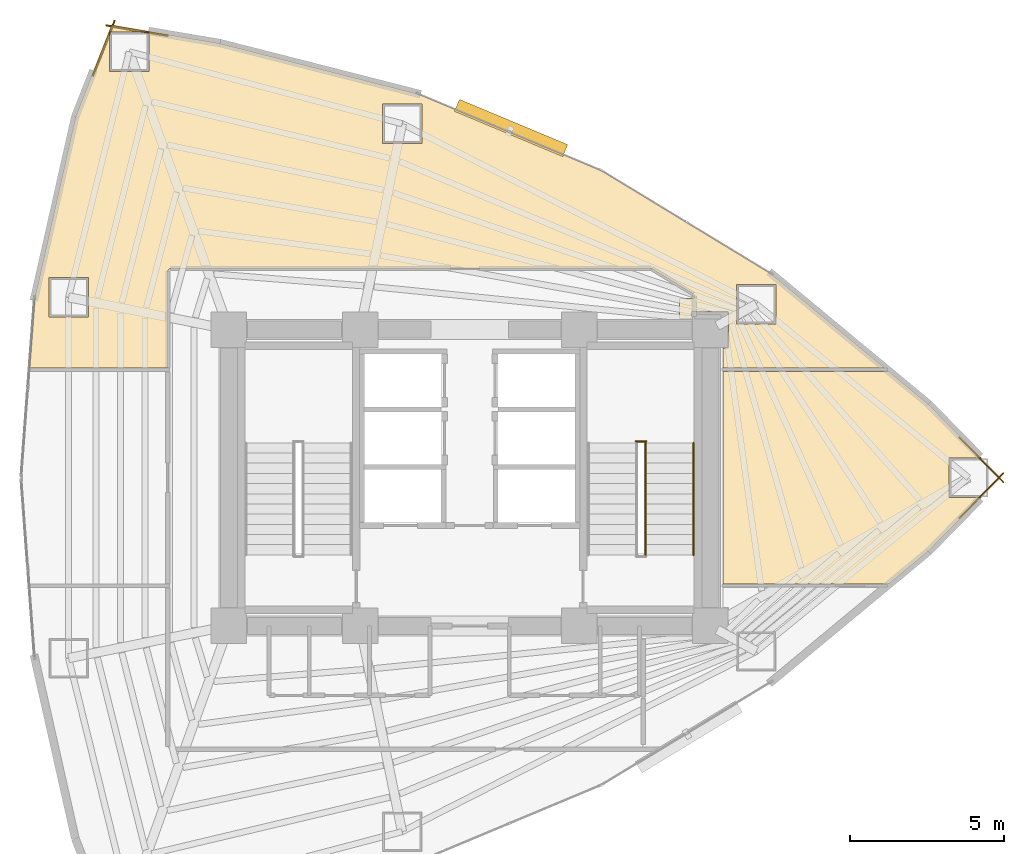
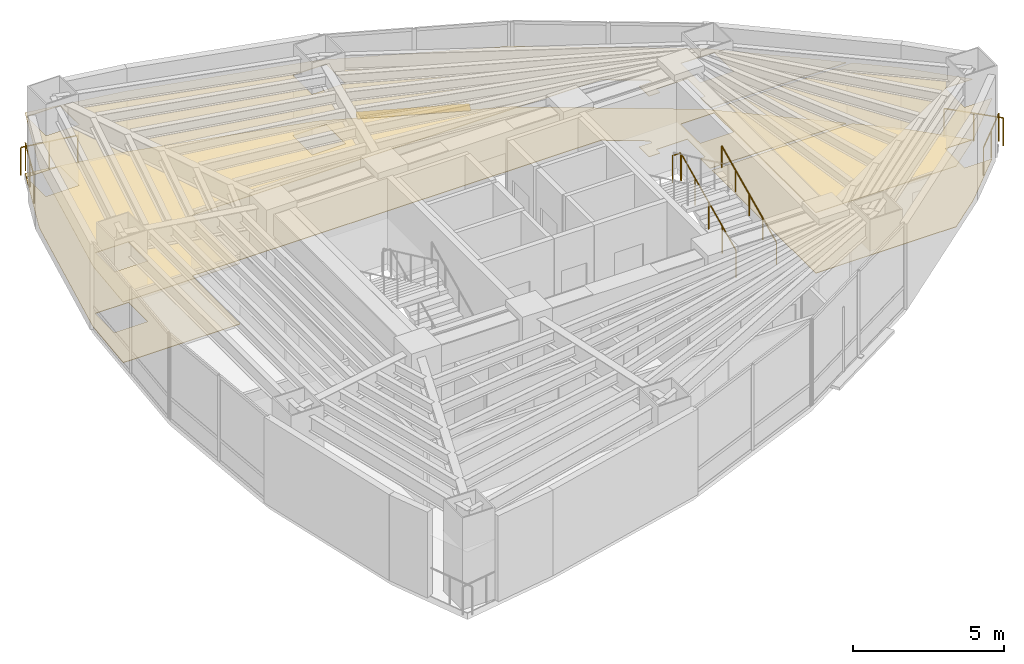
# One storey, part 18 of 18: 7 railings, 4 coverings, 1 shading device.
"""IFC4 building model written with IfcOpenShell, lengths in metres."""

from ifc_helpers import new_model, si_unit, direction, frame, origin, origin_2d, place, context, subcontext, project, spatial, polyline, rectangle, circle, outline, extrude, material, layer, layer_set, type_object, element, save


model = new_model("IFC4")

# Units and contexts
model_context = context("Model", 3, precision=1e-05, world=origin(), true_north=direction((0.0, 1.0)))
body_context = subcontext(model_context, "Body", "Model", "MODEL_VIEW")
ifc_project = project(units=[si_unit("LENGTHUNIT", "METRE"), si_unit("AREAUNIT", "SQUARE_METRE"), si_unit("VOLUMEUNIT", "CUBIC_METRE"), si_unit("PLANEANGLEUNIT", "RADIAN"), si_unit("MASSUNIT", "GRAM", prefix="KILO")], contexts=[model_context])

# Site, building, storey
site_placement = place(None, origin())
site = spatial("IfcSite", under=ifc_project, at=site_placement, CompositionType="ELEMENT")
building_placement = place(site_placement, origin())
building = spatial("IfcBuilding", under=site, at=building_placement, Name="Menara Vayukalpa", CompositionType="ELEMENT")
storey_placement = place(building_placement, frame((0.0, 0.0, 92.820068359375)))
storey = spatial("IfcBuildingStorey", under=building, at=storey_placement, Name="L22", CompositionType="ELEMENT", Elevation=92.820068359375)

# Coverings
ifc_material_1 = material(Name="Mineral Fibre Acoustic Ceiling Tile", Category="masonry")
ifc_layer_1 = layer(ifc_material_1, 0.02490234375)
ifc_layer_set_1 = layer_set([ifc_layer_1], Name="Mineral Fibre Acoustic Ceiling Tile")
covering_type_1 = type_object("IfcCoveringType", Name="COV-CLG1", PredefinedType="CEILING", material=ifc_layer_set_1)
covering_1_placement = place(storey_placement, frame((0.0, 0.0, 2.449951171875)))
element("IfcCovering", 1, at=covering_1_placement, inside=storey, type_object=covering_type_1, Name="L22 Technical Reference Library Acoustic Ceiling", PredefinedType="CEILING", context=body_context, shape_type="SweptSolid", body=[
    extrude(outline(polyline([(42.169677734375, 22.639892578125), (41.121826171875, 22.639892578125), (41.121826171875, 21.360107421875), (42.169677734375, 21.360107421875), (40.461181640625, 19.6201171875), (40.46044921875, 19.619384765625), (39.177978515625, 18.5556640625), (39.17724609375, 18.55517578125), (39.176513671875, 18.5546875), (39.175537109375, 18.55419921875), (39.1748046875, 18.553955078125), (39.173828125, 18.5537109375), (39.1728515625, 18.553466796875), (39.171875, 18.553466796875), (39.1708984375, 18.553466796875), (39.169921875, 18.553466796875), (39.1689453125, 18.5537109375), (39.168212890625, 18.553955078125), (39.167236328125, 18.554443359375), (39.1650390625, 18.555419921875), (39.159423828125, 18.557373046875), (39.15380859375, 18.558837890625), (39.148193359375, 18.559814453125), (39.141845703125, 18.56005859375), (33.820068359375, 18.56005859375), (33.819091796875, 18.56005859375), (33.818115234375, 18.560302734375), (33.817138671875, 18.560302734375), (33.816162109375, 18.560791015625), (33.815185546875, 18.561279296875), (33.814453125, 18.561767578125), (33.813720703125, 18.562255859375), (33.81298828125, 18.56298828125), (33.812255859375, 18.563720703125), (33.811767578125, 18.564453125), (33.811279296875, 18.565185546875), (33.810791015625, 18.566162109375), (33.810302734375, 18.567138671875), (33.810302734375, 18.568115234375), (33.81005859375, 18.569091796875), (33.81005859375, 18.570068359375), (33.81005859375, 25.429931640625), (33.81005859375, 25.430908203125), (33.810302734375, 25.431884765625), (33.810302734375, 25.432861328125), (33.810791015625, 25.433837890625), (33.811279296875, 25.434814453125), (33.811767578125, 25.435546875), (33.812255859375, 25.436279296875), (33.81298828125, 25.43701171875), (33.813720703125, 25.437744140625), (33.814453125, 25.438232421875), (33.815185546875, 25.438720703125), (33.816162109375, 25.439208984375), (33.817138671875, 25.439697265625), (33.818115234375, 25.439697265625), (33.819091796875, 25.43994140625), (33.820068359375, 25.43994140625), (39.141845703125, 25.43994140625), (39.148193359375, 25.440185546875), (39.15380859375, 25.441162109375), (39.159423828125, 25.442626953125), (39.1650390625, 25.444580078125), (39.167236328125, 25.445556640625), (39.168212890625, 25.446044921875), (39.1689453125, 25.4462890625), (39.169921875, 25.446533203125), (39.1708984375, 25.446533203125), (39.171875, 25.446533203125), (39.1728515625, 25.446533203125), (39.173828125, 25.4462890625), (39.1748046875, 25.446044921875), (39.175537109375, 25.44580078125), (39.176513671875, 25.4453125), (39.17724609375, 25.44482421875), (39.177978515625, 25.4443359375), (40.46044921875, 24.380615234375), (40.461181640625, 24.3798828125), (42.169677734375, 22.639892578125)])), origin(), (0.0, 0.0, 1.0), 0.02490234375),
])
covering_2_placement = place(storey_placement, frame((0.0, 0.0, 2.449951171875)))
element("IfcCovering", 2, at=covering_2_placement, inside=storey, type_object=covering_type_1, Name="L22 Staff Dining and Pantry Acoustic Ceiling", PredefinedType="CEILING", context=body_context, shape_type="SweptSolid", body=[
    extrude(outline(polyline([(32.389892578125, 27.81005859375), (32.8701171875, 27.81005859375), (32.8701171875, 27.89111328125), (32.86962890625, 27.8984375), (32.868408203125, 27.905517578125), (32.86669921875, 27.912353515625), (32.8642578125, 27.919189453125), (32.861083984375, 27.925537109375), (32.857177734375, 27.931640625), (32.852783203125, 27.937255859375), (32.847900390625, 27.9423828125), (32.84228515625, 27.947021484375), (32.836181640625, 27.951171875), (31.505126953125, 28.759765625), (31.49951171875, 28.762939453125), (31.49365234375, 28.765380859375), (31.487548828125, 28.767333984375), (31.481201171875, 28.768798828125), (31.47509765625, 28.769775390625), (31.468505859375, 28.77001953125), (15.900390625, 28.77001953125), (15.893310546875, 28.76953125), (15.88623046875, 28.768798828125), (15.879638671875, 28.76708984375), (15.873291015625, 28.7646484375), (15.866943359375, 28.76171875), (15.861083984375, 28.75830078125), (15.85546875, 28.75390625), (15.8505859375, 28.74951171875), (15.845947265625, 28.744384765625), (15.841796875, 28.73876953125), (15.838134765625, 28.73291015625), (15.835205078125, 28.726806640625), (15.8330078125, 28.72021484375), (15.831298828125, 28.713623046875), (15.830322265625, 28.706787109375), (15.830078125, 28.69970703125), (15.830078125, 25.570068359375), (15.830078125, 25.569091796875), (15.829833984375, 25.568115234375), (15.82958984375, 25.567138671875), (15.8291015625, 25.566162109375), (15.828857421875, 25.565185546875), (15.828369140625, 25.564453125), (15.82763671875, 25.563720703125), (15.8271484375, 25.56298828125), (15.826416015625, 25.562255859375), (15.82568359375, 25.561767578125), (15.82470703125, 25.561279296875), (15.82373046875, 25.560791015625), (15.822998046875, 25.560302734375), (15.822021484375, 25.560302734375), (15.821044921875, 25.56005859375), (15.820068359375, 25.56005859375), (11.35595703125, 25.56005859375), (11.35498046875, 25.56005859375), (11.35400390625, 25.560302734375), (11.35302734375, 25.560302734375), (11.352294921875, 25.560791015625), (11.351318359375, 25.56103515625), (11.3505859375, 25.5615234375), (11.349609375, 25.562255859375), (11.34912109375, 25.56298828125), (11.348388671875, 25.563720703125), (11.347900390625, 25.564208984375), (11.347412109375, 25.565185546875), (11.3466796875, 25.56591796875), (11.346435546875, 25.56689453125), (11.34619140625, 25.56787109375), (11.34619140625, 25.56884765625), (11.345947265625, 25.56982421875), (11.345947265625, 25.57080078125), (11.516357421875, 27.843505859375), (11.5166015625, 27.844970703125), (12.831298828125, 33.687744140625), (12.83154296875, 33.6884765625), (12.831787109375, 33.689208984375), (13.997314453125, 36.6572265625), (13.997802734375, 36.658203125), (13.998291015625, 36.658935546875), (13.998779296875, 36.659912109375), (13.99951171875, 36.660400390625), (14.000244140625, 36.6611328125), (14.0009765625, 36.661865234375), (14.001708984375, 36.662353515625), (14.002685546875, 36.66259765625), (14.003662109375, 36.6630859375), (14.00439453125, 36.663330078125), (14.005615234375, 36.66357421875), (14.00634765625, 36.66357421875), (14.00732421875, 36.66357421875), (14.00830078125, 36.66357421875), (17.5078125, 36.0693359375), (17.5087890625, 36.069091796875), (23.903564453125, 34.438232421875), (23.90478515625, 34.437744140625), (29.860595703125, 31.946533203125), (29.861328125, 31.9462890625), (29.862060546875, 31.94580078125), (35.379638671875, 28.593994140625), (35.380859375, 28.59326171875), (39.01708984375, 25.57763671875), (39.017822265625, 25.576904296875), (39.0185546875, 25.576416015625), (39.01904296875, 25.575439453125), (39.01953125, 25.57470703125), (39.02001953125, 25.57373046875), (39.020263671875, 25.572998046875), (39.0205078125, 25.572021484375), (39.020751953125, 25.57080078125), (39.020751953125, 25.570068359375), (39.0205078125, 25.569091796875), (39.0205078125, 25.568115234375), (39.020263671875, 25.567138671875), (39.02001953125, 25.566162109375), (39.01953125, 25.565185546875), (39.01904296875, 25.564453125), (39.018310546875, 25.563720703125), (39.017822265625, 25.56298828125), (39.01708984375, 25.562255859375), (39.01611328125, 25.561767578125), (39.015380859375, 25.561279296875), (39.014404296875, 25.560791015625), (39.013671875, 25.560302734375), (39.0126953125, 25.560302734375), (39.01171875, 25.56005859375), (39.0107421875, 25.56005859375), (33.820068359375, 25.56005859375), (33.819091796875, 25.56005859375), (33.818115234375, 25.560302734375), (33.817138671875, 25.560302734375), (33.816162109375, 25.560791015625), (33.815185546875, 25.561279296875), (33.814453125, 25.561767578125), (33.813720703125, 25.562255859375), (33.81298828125, 25.56298828125), (33.812255859375, 25.563720703125), (33.811767578125, 25.564453125), (33.811279296875, 25.565185546875), (33.810791015625, 25.566162109375), (33.810302734375, 25.567138671875), (33.810302734375, 25.568115234375), (33.81005859375, 25.569091796875), (33.81005859375, 25.570068359375), (33.81005859375, 26.2099609375), (33.989990234375, 26.2099609375), (33.989990234375, 27.389892578125), (32.81005859375, 27.389892578125), (32.81005859375, 27.14990234375), (32.389892578125, 27.14990234375), (32.389892578125, 27.81005859375)]), holes=[polyline([(13.24658203125, 28.485595703125), (11.966552734375, 28.485595703125), (11.966552734375, 27.205810546875), (13.24658203125, 27.205810546875), (13.24658203125, 28.485595703125)]), polyline([(15.208984375, 36.4375), (13.92919921875, 36.4375), (13.92919921875, 35.157470703125), (15.208984375, 35.157470703125), (15.208984375, 36.4375)]), polyline([(35.52685546875, 26.981689453125), (35.52685546875, 28.26171875), (34.246826171875, 28.26171875), (34.246826171875, 26.981689453125), (35.52685546875, 26.981689453125)]), polyline([(24.048095703125, 32.827392578125), (24.048095703125, 34.107421875), (22.768310546875, 34.107421875), (22.768310546875, 32.827392578125), (24.048095703125, 32.827392578125)])]), origin(), (0.0, 0.0, 1.0), 0.02490234375),
])
ifc_material_2 = material(Name="Porcelain Stoneware Floor Tile", Category="masonry")
ifc_layer_2 = layer(ifc_material_2, 0.02001953125)
ifc_layer_set_2 = layer_set([ifc_layer_2], Name="Porcelain Stoneware Floor Tile")
covering_type_2 = type_object("IfcCoveringType", Name="COV-FLR1", PredefinedType="FLOORING", material=ifc_layer_set_2)
covering_3_placement = place(storey_placement, origin())
element("IfcCovering", 3, at=covering_3_placement, inside=storey, type_object=covering_type_2, Name="L22 Technical Reference Library Porcelain Flooring", PredefinedType="FLOORING", context=body_context, shape_type="SweptSolid", body=[
    extrude(outline(polyline([(42.169677734375, 22.639892578125), (41.121826171875, 22.639892578125), (41.121826171875, 21.360107421875), (42.169677734375, 21.360107421875), (40.461181640625, 19.6201171875), (40.46044921875, 19.619384765625), (39.177978515625, 18.5556640625), (39.17724609375, 18.55517578125), (39.176513671875, 18.5546875), (39.175537109375, 18.55419921875), (39.1748046875, 18.553955078125), (39.173828125, 18.5537109375), (39.1728515625, 18.553466796875), (39.171875, 18.553466796875), (39.1708984375, 18.553466796875), (39.169921875, 18.553466796875), (39.1689453125, 18.5537109375), (39.168212890625, 18.553955078125), (39.167236328125, 18.554443359375), (39.1650390625, 18.555419921875), (39.159423828125, 18.557373046875), (39.15380859375, 18.558837890625), (39.148193359375, 18.559814453125), (39.141845703125, 18.56005859375), (33.820068359375, 18.56005859375), (33.819091796875, 18.56005859375), (33.818115234375, 18.560302734375), (33.817138671875, 18.560302734375), (33.816162109375, 18.560791015625), (33.815185546875, 18.561279296875), (33.814453125, 18.561767578125), (33.813720703125, 18.562255859375), (33.81298828125, 18.56298828125), (33.812255859375, 18.563720703125), (33.811767578125, 18.564453125), (33.811279296875, 18.565185546875), (33.810791015625, 18.566162109375), (33.810302734375, 18.567138671875), (33.810302734375, 18.568115234375), (33.81005859375, 18.569091796875), (33.81005859375, 18.570068359375), (33.81005859375, 25.429931640625), (33.81005859375, 25.430908203125), (33.810302734375, 25.431884765625), (33.810302734375, 25.432861328125), (33.810791015625, 25.433837890625), (33.811279296875, 25.434814453125), (33.811767578125, 25.435546875), (33.812255859375, 25.436279296875), (33.81298828125, 25.43701171875), (33.813720703125, 25.437744140625), (33.814453125, 25.438232421875), (33.815185546875, 25.438720703125), (33.816162109375, 25.439208984375), (33.817138671875, 25.439697265625), (33.818115234375, 25.439697265625), (33.819091796875, 25.43994140625), (33.820068359375, 25.43994140625), (39.141845703125, 25.43994140625), (39.148193359375, 25.440185546875), (39.15380859375, 25.441162109375), (39.159423828125, 25.442626953125), (39.1650390625, 25.444580078125), (39.167236328125, 25.445556640625), (39.168212890625, 25.446044921875), (39.1689453125, 25.4462890625), (39.169921875, 25.446533203125), (39.1708984375, 25.446533203125), (39.171875, 25.446533203125), (39.1728515625, 25.446533203125), (39.173828125, 25.4462890625), (39.1748046875, 25.446044921875), (39.175537109375, 25.44580078125), (39.176513671875, 25.4453125), (39.17724609375, 25.44482421875), (39.177978515625, 25.4443359375), (40.46044921875, 24.380615234375), (40.461181640625, 24.3798828125), (42.169677734375, 22.639892578125)])), origin(), (0.0, 0.0, 1.0), 0.02001953125),
])
covering_4_placement = place(storey_placement, origin())
element("IfcCovering", 4, at=covering_4_placement, inside=storey, type_object=covering_type_2, Name="L22 Staff Dining and Pantry Porcelain Flooring", PredefinedType="FLOORING", context=body_context, shape_type="SweptSolid", body=[
    extrude(outline(polyline([(32.389892578125, 27.81005859375), (32.8701171875, 27.81005859375), (32.8701171875, 27.89111328125), (32.86962890625, 27.8984375), (32.868408203125, 27.905517578125), (32.86669921875, 27.912353515625), (32.8642578125, 27.919189453125), (32.861083984375, 27.925537109375), (32.857177734375, 27.931640625), (32.852783203125, 27.937255859375), (32.847900390625, 27.9423828125), (32.84228515625, 27.947021484375), (32.836181640625, 27.951171875), (31.505126953125, 28.759765625), (31.49951171875, 28.762939453125), (31.49365234375, 28.765380859375), (31.487548828125, 28.767333984375), (31.481201171875, 28.768798828125), (31.47509765625, 28.769775390625), (31.468505859375, 28.77001953125), (15.900390625, 28.77001953125), (15.893310546875, 28.76953125), (15.88623046875, 28.768798828125), (15.879638671875, 28.76708984375), (15.873291015625, 28.7646484375), (15.866943359375, 28.76171875), (15.861083984375, 28.75830078125), (15.85546875, 28.75390625), (15.8505859375, 28.74951171875), (15.845947265625, 28.744384765625), (15.841796875, 28.73876953125), (15.838134765625, 28.73291015625), (15.835205078125, 28.726806640625), (15.8330078125, 28.72021484375), (15.831298828125, 28.713623046875), (15.830322265625, 28.706787109375), (15.830078125, 28.69970703125), (15.830078125, 25.570068359375), (15.830078125, 25.569091796875), (15.829833984375, 25.568115234375), (15.82958984375, 25.567138671875), (15.8291015625, 25.566162109375), (15.828857421875, 25.565185546875), (15.828369140625, 25.564453125), (15.82763671875, 25.563720703125), (15.8271484375, 25.56298828125), (15.826416015625, 25.562255859375), (15.82568359375, 25.561767578125), (15.82470703125, 25.561279296875), (15.82373046875, 25.560791015625), (15.822998046875, 25.560302734375), (15.822021484375, 25.560302734375), (15.821044921875, 25.56005859375), (15.820068359375, 25.56005859375), (11.35595703125, 25.56005859375), (11.35498046875, 25.56005859375), (11.35400390625, 25.560302734375), (11.35302734375, 25.560302734375), (11.352294921875, 25.560791015625), (11.351318359375, 25.56103515625), (11.3505859375, 25.5615234375), (11.349609375, 25.562255859375), (11.34912109375, 25.56298828125), (11.348388671875, 25.563720703125), (11.347900390625, 25.564208984375), (11.347412109375, 25.565185546875), (11.3466796875, 25.56591796875), (11.346435546875, 25.56689453125), (11.34619140625, 25.56787109375), (11.34619140625, 25.56884765625), (11.345947265625, 25.56982421875), (11.345947265625, 25.57080078125), (11.516357421875, 27.843505859375), (11.5166015625, 27.844970703125), (12.831298828125, 33.687744140625), (12.83154296875, 33.6884765625), (12.831787109375, 33.689208984375), (13.997314453125, 36.6572265625), (13.997802734375, 36.658203125), (13.998291015625, 36.658935546875), (13.998779296875, 36.659912109375), (13.99951171875, 36.660400390625), (14.000244140625, 36.6611328125), (14.0009765625, 36.661865234375), (14.001708984375, 36.662353515625), (14.002685546875, 36.66259765625), (14.003662109375, 36.6630859375), (14.00439453125, 36.663330078125), (14.005615234375, 36.66357421875), (14.00634765625, 36.66357421875), (14.00732421875, 36.66357421875), (14.00830078125, 36.66357421875), (17.5078125, 36.0693359375), (17.5087890625, 36.069091796875), (23.903564453125, 34.438232421875), (23.90478515625, 34.437744140625), (29.860595703125, 31.946533203125), (29.861328125, 31.9462890625), (29.862060546875, 31.94580078125), (35.379638671875, 28.593994140625), (35.380859375, 28.59326171875), (39.01708984375, 25.57763671875), (39.017822265625, 25.576904296875), (39.0185546875, 25.576416015625), (39.01904296875, 25.575439453125), (39.01953125, 25.57470703125), (39.02001953125, 25.57373046875), (39.020263671875, 25.572998046875), (39.0205078125, 25.572021484375), (39.020751953125, 25.57080078125), (39.020751953125, 25.570068359375), (39.0205078125, 25.569091796875), (39.0205078125, 25.568115234375), (39.020263671875, 25.567138671875), (39.02001953125, 25.566162109375), (39.01953125, 25.565185546875), (39.01904296875, 25.564453125), (39.018310546875, 25.563720703125), (39.017822265625, 25.56298828125), (39.01708984375, 25.562255859375), (39.01611328125, 25.561767578125), (39.015380859375, 25.561279296875), (39.014404296875, 25.560791015625), (39.013671875, 25.560302734375), (39.0126953125, 25.560302734375), (39.01171875, 25.56005859375), (39.0107421875, 25.56005859375), (33.820068359375, 25.56005859375), (33.819091796875, 25.56005859375), (33.818115234375, 25.560302734375), (33.817138671875, 25.560302734375), (33.816162109375, 25.560791015625), (33.815185546875, 25.561279296875), (33.814453125, 25.561767578125), (33.813720703125, 25.562255859375), (33.81298828125, 25.56298828125), (33.812255859375, 25.563720703125), (33.811767578125, 25.564453125), (33.811279296875, 25.565185546875), (33.810791015625, 25.566162109375), (33.810302734375, 25.567138671875), (33.810302734375, 25.568115234375), (33.81005859375, 25.569091796875), (33.81005859375, 25.570068359375), (33.81005859375, 26.2099609375), (33.989990234375, 26.2099609375), (33.989990234375, 27.389892578125), (32.81005859375, 27.389892578125), (32.81005859375, 27.14990234375), (32.389892578125, 27.14990234375), (32.389892578125, 27.81005859375)]), holes=[polyline([(13.24658203125, 28.485595703125), (11.966552734375, 28.485595703125), (11.966552734375, 27.205810546875), (13.24658203125, 27.205810546875), (13.24658203125, 28.485595703125)]), polyline([(15.208984375, 36.4375), (13.92919921875, 36.4375), (13.92919921875, 35.157470703125), (15.208984375, 35.157470703125), (15.208984375, 36.4375)]), polyline([(35.52685546875, 26.981689453125), (35.52685546875, 28.26171875), (34.246826171875, 28.26171875), (34.246826171875, 26.981689453125), (35.52685546875, 26.981689453125)]), polyline([(24.048095703125, 32.827392578125), (24.048095703125, 34.107421875), (22.768310546875, 34.107421875), (22.768310546875, 32.827392578125), (24.048095703125, 32.827392578125)])]), origin(), (0.0, 0.0, 1.0), 0.02001953125),
])

# Railings
ifc_material_3 = material(Name="Laminated Glass and Stainless Steel 316 Guardrail", Category="steel")
railing_type_1 = type_object("IfcRailingType", Name="RLG-EXT115", PredefinedType="GUARDRAIL", material=ifc_material_3)
railing_1_placement = place(storey_placement, frame((41.458740234375, 20.693115234375, 0.0)))
element("IfcRailing", 5, at=railing_1_placement, inside=storey, type_object=railing_type_1, Name="L22 Column Corner Spandrel Guardrail 01-1", PredefinedType="GUARDRAIL", context=body_context, shape_type="SweptSolid", body=[
    extrude(circle(Radius=0.02392578125, at=origin_2d()), frame((0.0, 0.0, 1.1259765625), z_axis=(0.700555740742, 0.713597683652, 0.0), x_axis=(-0.713597683652, 0.700555740742, 0.0)), (0.0, 0.0, 1.0), 2.04052734375),
    extrude(circle(Radius=0.02099609375, at=origin_2d()), origin(), (0.0, 0.0, 1.0), 1.101806640625),
    extrude(circle(Radius=0.02099609375, at=origin_2d()), frame((0.71484375, 0.72802734375, 0.0)), (0.0, 0.0, 1.0), 1.101806640625),
    extrude(circle(Radius=0.02099609375, at=origin_2d()), frame((1.429443359375, 1.4560546875, 0.0)), (0.0, 0.0, 1.0), 1.101806640625),
])
railing_2_placement = place(storey_placement, frame((42.88818359375, 21.850830078125, 0.0)))
element("IfcRailing", 6, at=railing_2_placement, inside=storey, type_object=railing_type_1, Name="L22 Column Corner Spandrel Guardrail 02-1", PredefinedType="GUARDRAIL", context=body_context, shape_type="SweptSolid", body=[
    extrude(circle(Radius=0.02392578125, at=origin_2d()), frame((0.0, 0.0, 1.1259765625), z_axis=(-0.700555740742, 0.713597683652, 0.0), x_axis=(-0.713597683652, -0.700555740742, 0.0)), (0.0, 0.0, 1.0), 2.04052734375),
    extrude(circle(Radius=0.02099609375, at=origin_2d()), origin(), (0.0, 0.0, 1.0), 1.101806640625),
    extrude(circle(Radius=0.02099609375, at=origin_2d()), frame((-0.71484375, 0.72802734375, 0.0)), (0.0, 0.0, 1.0), 1.101806640625),
    extrude(circle(Radius=0.02099609375, at=origin_2d()), frame((-1.429443359375, 1.4560546875, 0.0)), (0.0, 0.0, 1.0), 1.101806640625),
])
railing_3_placement = place(storey_placement, frame((15.818359375, 36.315673828125, 0.0)))
element("IfcRailing", 7, at=railing_3_placement, inside=storey, type_object=railing_type_1, Name="L22 Column Corner Spandrel Guardrail 07-1", PredefinedType="GUARDRAIL", context=body_context, shape_type="SweptSolid", body=[
    extrude(circle(Radius=0.02392578125, at=origin_2d()), frame((0.0, 0.0, 1.1259765625), z_axis=(-0.985895977605, 0.16735925831, 0.0), x_axis=(-0.16735925831, -0.985895977605, 0.0)), (0.0, 0.0, 1.0), 2.01904296875),
    extrude(circle(Radius=0.02099609375, at=origin_2d()), origin(), (0.0, 0.0, 1.0), 1.101806640625),
    extrude(circle(Radius=0.02099609375, at=origin_2d()), frame((-0.9951171875, 0.1689453125, 0.0)), (0.0, 0.0, 1.0), 1.101806640625),
    extrude(circle(Radius=0.02099609375, at=origin_2d()), frame((-1.990478515625, 0.337890625, 0.0)), (0.0, 0.0, 1.0), 1.101806640625),
])
railing_4_placement = place(storey_placement, frame((14.09912109375, 36.806640625, 0.0)))
element("IfcRailing", 8, at=railing_4_placement, inside=storey, type_object=railing_type_1, Name="L22 Column Corner Spandrel Guardrail 08-1", PredefinedType="GUARDRAIL", context=body_context, shape_type="SweptSolid", body=[
    extrude(circle(Radius=0.02392578125, at=origin_2d()), frame((0.0, 0.0, 1.1259765625), z_axis=(-0.365573386764, -0.930782519652, 0.0), x_axis=(0.930782519652, -0.365573386764, 0.0)), (0.0, 0.0, 1.0), 1.91259765625),
    extrude(circle(Radius=0.02099609375, at=origin_2d()), origin(), (0.0, 0.0, 1.0), 1.101806640625),
    extrude(circle(Radius=0.02099609375, at=origin_2d()), frame((-0.349609375, -0.89013671875, 0.0)), (0.0, 0.0, 1.0), 1.101806640625),
    extrude(circle(Radius=0.02099609375, at=origin_2d()), frame((-0.69921875, -1.7802734375, 0.0)), (0.0, 0.0, 1.0), 1.101806640625),
])
ifc_material_4 = material(Name="Powder-Coated Galvanised Steel Guardrail", Category="steel")
railing_type_2 = type_object("IfcRailingType", Name="RLG-STG110", PredefinedType="GUARDRAIL", material=ifc_material_4)
railing_5_placement = place(storey_placement, frame((31.300048828125, 19.5, 0.155029296875)))
element("IfcRailing", 9, at=railing_5_placement, inside=storey, type_object=railing_type_2, Name="L22 ST-2 stair guard 1", PredefinedType="GUARDRAIL", context=body_context, shape_type="SweptSolid", body=[
    extrude(circle(Radius=0.02392578125, at=origin_2d()), frame((0.0, 0.0, 1.09619140625), z_axis=(0.0, 0.90513990983, 0.425113800803), x_axis=(-1.0, 0.0, 0.0)), (0.0, 0.0, 1.0), 4.01025390625),
    extrude(circle(Radius=0.02099609375, at=origin_2d()), origin(), (0.0, 0.0, 1.0), 1.072021484375),
    extrude(circle(Radius=0.02099609375, at=origin_2d()), frame((0.0, 0.907470703125, 0.42626953125)), (0.0, 0.0, 1.0), 1.072021484375),
    extrude(circle(Radius=0.02099609375, at=origin_2d()), frame((0.0, 1.81494140625, 0.8525390625)), (0.0, 0.0, 1.0), 1.072021484375),
    extrude(circle(Radius=0.02099609375, at=origin_2d()), frame((0.0, 2.722412109375, 1.278564453125)), (0.0, 0.0, 1.0), 1.072021484375),
    extrude(circle(Radius=0.02099609375, at=origin_2d()), frame((0.0, 3.6298828125, 1.704833984375)), (0.0, 0.0, 1.0), 1.072021484375),
])
railing_6_placement = place(storey_placement, frame((31.31005859375, 23.179931640625, 1.85986328125)))
element("IfcRailing", 10, at=railing_6_placement, inside=storey, type_object=railing_type_2, Name="L22 ST-2 stair guard 2", PredefinedType="GUARDRAIL", context=body_context, shape_type="SweptSolid", body=[
    extrude(circle(Radius=0.02392578125, at=origin_2d()), frame((0.0, 0.0, 1.09619140625), z_axis=(-1.0, 0.0, 0.0), x_axis=(0.0, -1.0, 0.0)), (0.0, 0.0, 1.0), 0.320068359375),
    extrude(circle(Radius=0.02099609375, at=origin_2d()), origin(), (0.0, 0.0, 1.0), 1.072021484375),
    extrude(circle(Radius=0.02099609375, at=origin_2d()), frame((-0.320068359375, 0.0, 0.0)), (0.0, 0.0, 1.0), 1.072021484375),
])
ifc_material_5 = material(Name="Stainless Steel 316 Tubular Handrail", Category="steel")
railing_type_3 = type_object("IfcRailingType", Name="RLG-STH090", PredefinedType="HANDRAIL", material=ifc_material_5)
railing_7_placement = place(storey_placement, frame((32.85009765625, 19.5, 0.155029296875)))
element("IfcRailing", 11, at=railing_7_placement, inside=storey, type_object=railing_type_3, Name="L22 ST-2 stair handrail 1", PredefinedType="HANDRAIL", context=body_context, shape_type="SweptSolid", body=[
    extrude(circle(Radius=0.02392578125, at=origin_2d()), frame((0.0, 0.0, 0.8759765625), z_axis=(0.0, 0.90513990983, 0.425113800803), x_axis=(-1.0, 0.0, 0.0)), (0.0, 0.0, 1.0), 4.01025390625),
    extrude(circle(Radius=0.02099609375, at=origin_2d()), origin(), (0.0, 0.0, 1.0), 0.851806640625),
    extrude(circle(Radius=0.02099609375, at=origin_2d()), frame((0.0, 0.907470703125, 0.42626953125)), (0.0, 0.0, 1.0), 0.851806640625),
    extrude(circle(Radius=0.02099609375, at=origin_2d()), frame((0.0, 1.81494140625, 0.8525390625)), (0.0, 0.0, 1.0), 0.851806640625),
    extrude(circle(Radius=0.02099609375, at=origin_2d()), frame((0.0, 2.722412109375, 1.278564453125)), (0.0, 0.0, 1.0), 0.851806640625),
    extrude(circle(Radius=0.02099609375, at=origin_2d()), frame((0.0, 3.6298828125, 1.704833984375)), (0.0, 0.0, 1.0), 0.851806640625),
])

# Shading device
ifc_material_6 = material(Name="Glazed Terracotta Ceramic Baguette Extrusion", Category="masonry")
ifc_layer_3 = layer(ifc_material_6, 0.1201171875)
ifc_layer_set_3 = layer_set([ifc_layer_3], Name="Glazed Terracotta Ceramic Baguette Extrusion")
shading_device_type = type_object("IfcShadingDeviceType", Name="SHD-SS1", PredefinedType="USERDEFINED", material=ifc_layer_set_3)
shading_device_placement = place(storey_placement, frame((26.940673828125, 33.33056640625, -0.10009765625), z_axis=(0.0, 0.0, 1.0), x_axis=(-0.922544824647, 0.385889940938, 0.0)))
element("IfcShadingDevice", 12, at=shading_device_placement, inside=storey, type_object=shading_device_type, Name="L22 Horizontal Terracotta Sunshade Band 05", ObjectType="SUNSHADE", PredefinedType="USERDEFINED", context=body_context, shape_type="SweptSolid", body=[
    extrude(rectangle(XDim=3.800048828125, YDim=0.419921875, at=origin_2d()), origin(), (0.0, 0.0, 1.0), 0.1201171875),
])

save(model, "model.ifc")
